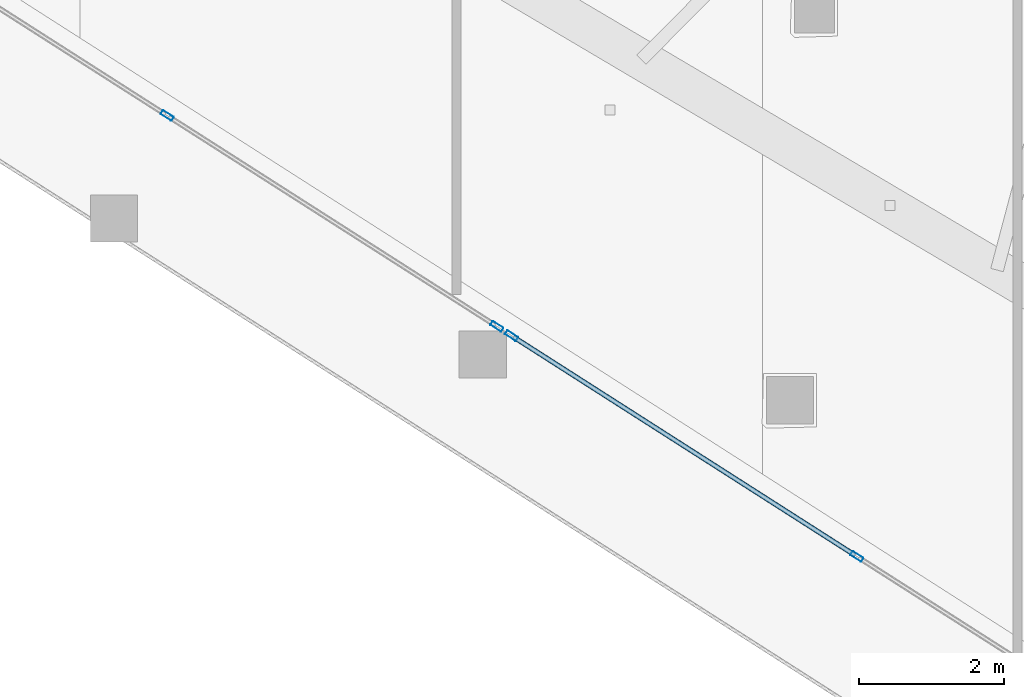
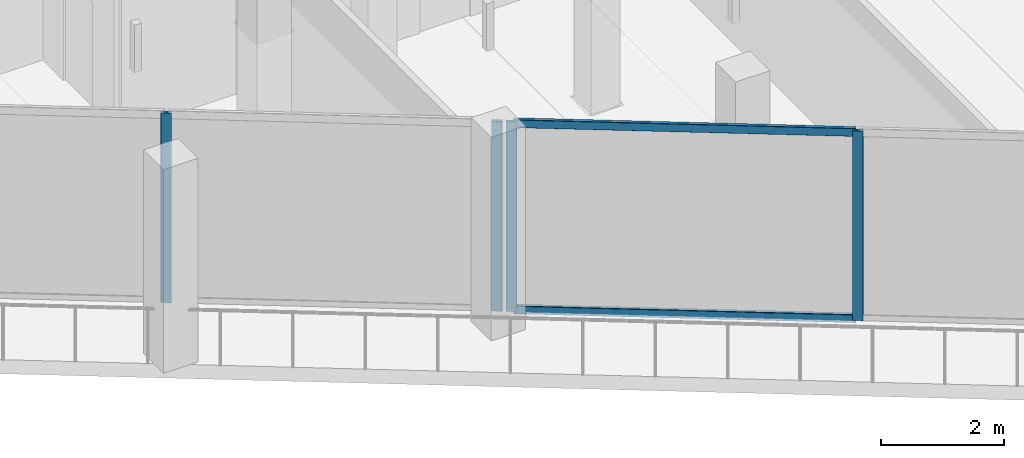
# One storey, part 2 of 42: 6 members, 2 elements without a shape of their own.
"""IFC4 building model written with IfcOpenShell, lengths in metres."""

from ifc_helpers import new_model, si_unit, direction, frame, origin, origin_2d, place, context, subcontext, project, spatial, hollow_rectangle, extrude, material, layer, layer_set, material_profile, profile_set, type_object, element, aggregate, save


model = new_model("IFC4")

# Units and contexts
model_context = context("Model", 3, precision=1e-05, world=origin(), true_north=direction((0.0, 1.0)))
body_context = subcontext(model_context, "Body", "Model", "MODEL_VIEW")
ifc_project = project(units=[si_unit("LENGTHUNIT", "METRE"), si_unit("AREAUNIT", "SQUARE_METRE"), si_unit("VOLUMEUNIT", "CUBIC_METRE"), si_unit("PLANEANGLEUNIT", "RADIAN"), si_unit("MASSUNIT", "GRAM", prefix="KILO")], contexts=[model_context])

# Site, building, storey
site_placement = place(None, origin())
site = spatial("IfcSite", under=ifc_project, at=site_placement, CompositionType="ELEMENT")
building_placement = place(site_placement, origin())
building = spatial("IfcBuilding", under=site, at=building_placement, Name="Qorvath Tower", CompositionType="ELEMENT")
storey_placement = place(building_placement, frame((0.0, 0.0, 117.89990234375)))
storey = spatial("IfcBuildingStorey", under=building, at=storey_placement, Name="L26", CompositionType="ELEMENT", Elevation=117.89990234375)

# Curtain wall, members
ifc_material_1 = material(Name="Anodised aluminium and triple low-E glass", Category="aluminium")
ifc_layer = layer(ifc_material_1, 0.179931640625)
ifc_layer_set = layer_set([ifc_layer], Name="CW-SYS-2")
curtain_wall_type = type_object("IfcCurtainWallType", Name="CW-SYS-2", PredefinedType="NOTDEFINED", material=ifc_layer_set)
curtain_wall_1_placement = place(storey_placement, origin())
curtain_wall_1 = element("IfcCurtainWall", 1, at=curtain_wall_1_placement, inside=storey, type_object=curtain_wall_type, Name="Curtain Wall CW-2 CW-T-L26-2.1", PredefinedType="NOTDEFINED")
ifc_material_2 = material(Name="Anodised aluminium 6063-T6", Category="aluminium")
ifc_material_profile_1 = material_profile(ifc_material_2, hollow_rectangle(XDim=0.06494140625, YDim=0.179931640625, WallThickness=0.00341796875, InnerFilletRadius=0.00341796875, OuterFilletRadius=0.007080078125, at=origin_2d()), Name="CWM 180x65")
ifc_profile_set_1 = profile_set([ifc_material_profile_1], Name="Anodised aluminium 6063-T6")
member_type_1 = type_object("IfcMemberType", Name="CWM-180", PredefinedType="MULLION", material=ifc_profile_set_1)
member_1_placement = place(storey_placement, frame((-39.60107421875, -15.537109375, 0.0), z_axis=(0.0, 0.0, 1.0), x_axis=(0.538534177075, 0.842603667285, 0.0)))
member_1 = element("IfcMember", 2, at=member_1_placement, type_object=member_type_1, Name="CW-2 mullion 5", PredefinedType="MULLION", context=body_context, shape_type="SweptSolid", body=[
    extrude(hollow_rectangle(XDim=0.06494140625, YDim=0.179931640625, WallThickness=0.00341796875, InnerFilletRadius=0.00341796875, OuterFilletRadius=0.007080078125, at=origin_2d()), origin(), (0.0, 0.0, 1.0), 3.77001953125),
])
member_2_placement = place(storey_placement, frame((-35.056396484375, -18.441650390625, 0.0), z_axis=(0.0, 0.0, 1.0), x_axis=(0.538534177075, 0.842603667285, 0.0)))
member_2 = element("IfcMember", 3, at=member_2_placement, type_object=member_type_1, Name="CW-2 mullion 6", PredefinedType="MULLION", context=body_context, shape_type="SweptSolid", body=[
    extrude(hollow_rectangle(XDim=0.06494140625, YDim=0.179931640625, WallThickness=0.00341796875, InnerFilletRadius=0.00341796875, OuterFilletRadius=0.007080078125, at=origin_2d()), origin(), (0.0, 0.0, 1.0), 3.77001953125),
])
aggregate(curtain_wall_1, [member_1, member_2])

curtain_wall_2_placement = place(storey_placement, origin())
curtain_wall_2 = element("IfcCurtainWall", 4, at=curtain_wall_2_placement, inside=storey, type_object=curtain_wall_type, Name="Curtain Wall CW-2 CW-T-L26-2.2", PredefinedType="NOTDEFINED")
member_3_placement = place(storey_placement, frame((-34.854248046875, -18.571044921875, 0.0), z_axis=(0.0, 0.0, 1.0), x_axis=(0.538536165559, 0.84260239638, 0.0)))
member_3 = element("IfcMember", 5, at=member_3_placement, type_object=member_type_1, Name="CW-2 mullion 1", PredefinedType="MULLION", context=body_context, shape_type="SweptSolid", body=[
    extrude(hollow_rectangle(XDim=0.06494140625, YDim=0.179931640625, WallThickness=0.00341796875, InnerFilletRadius=0.00341796875, OuterFilletRadius=0.007080078125, at=origin_2d()), origin(), (0.0, 0.0, 1.0), 3.77001953125),
])
member_4_placement = place(storey_placement, frame((-30.095458984375, -21.612548828125, 0.0), z_axis=(0.0, 0.0, 1.0), x_axis=(0.538536165559, 0.84260239638, 0.0)))
member_4 = element("IfcMember", 6, at=member_4_placement, type_object=member_type_1, Name="CW-2 mullion 2", PredefinedType="MULLION", context=body_context, shape_type="SweptSolid", body=[
    extrude(hollow_rectangle(XDim=0.06494140625, YDim=0.179931640625, WallThickness=0.00341796875, InnerFilletRadius=0.00341796875, OuterFilletRadius=0.007080078125, at=origin_2d()), origin(), (0.0, 0.0, 1.0), 3.77001953125),
])
ifc_material_3 = material(Name="Anodised aluminium 6063-T6", Category="aluminium")
ifc_material_profile_2 = material_profile(ifc_material_3, hollow_rectangle(XDim=0.06494140625, YDim=0.159912109375, WallThickness=0.00341796875, InnerFilletRadius=0.00341796875, OuterFilletRadius=0.007080078125, at=origin_2d()), Name="CWT 160x65")
ifc_profile_set_2 = profile_set([ifc_material_profile_2], Name="Anodised aluminium 6063-T6")
member_type_2 = type_object("IfcMemberType", Name="CWT-160", PredefinedType="USERDEFINED", material=ifc_profile_set_2)
member_5_placement = place(storey_placement, frame((-34.826904296875, -18.588623046875, 0.032470703125), z_axis=(0.842619091968, -0.538510042479, 0.0), x_axis=(0.538510042479, 0.842619091968, 0.0)))
member_5 = element("IfcMember", 7, at=member_5_placement, type_object=member_type_2, Name="CW-2 transom 1.1", ObjectType="TRANSOM", PredefinedType="USERDEFINED", context=body_context, shape_type="SweptSolid", body=[
    extrude(hollow_rectangle(XDim=0.06494140625, YDim=0.159912109375, WallThickness=0.00341796875, InnerFilletRadius=0.00341796875, OuterFilletRadius=0.007080078125, at=origin_2d()), origin(), (0.0, 0.0, 1.0), 5.582763671875),
])
member_6_placement = place(storey_placement, frame((-34.826904296875, -18.588623046875, 3.737548828125), z_axis=(0.842619091968, -0.538510042479, 0.0), x_axis=(0.538510042479, 0.842619091968, 0.0)))
member_6 = element("IfcMember", 8, at=member_6_placement, type_object=member_type_2, Name="CW-2 transom 1.2", ObjectType="TRANSOM", PredefinedType="USERDEFINED", context=body_context, shape_type="SweptSolid", body=[
    extrude(hollow_rectangle(XDim=0.06494140625, YDim=0.159912109375, WallThickness=0.00341796875, InnerFilletRadius=0.00341796875, OuterFilletRadius=0.007080078125, at=origin_2d()), origin(), (0.0, 0.0, 1.0), 5.582763671875),
])
aggregate(curtain_wall_2, [member_3, member_4, member_5, member_6])

save(model, "model.ifc")
